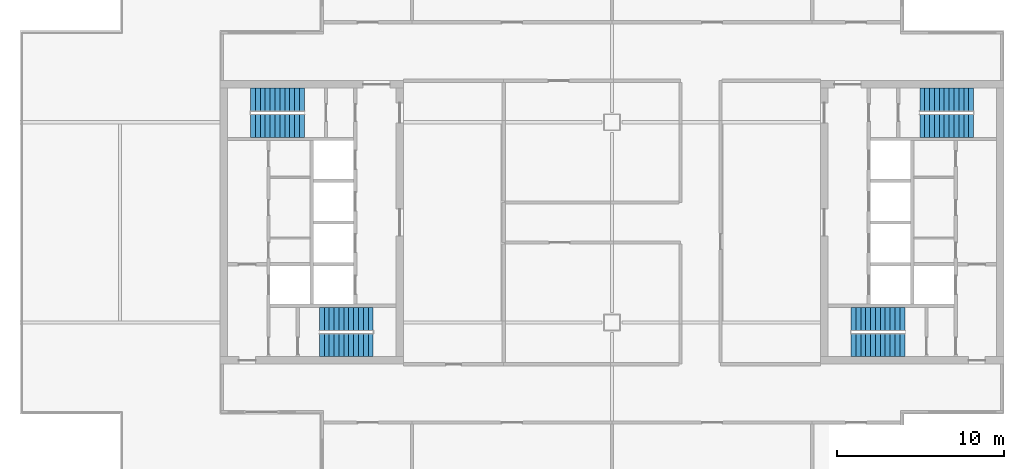
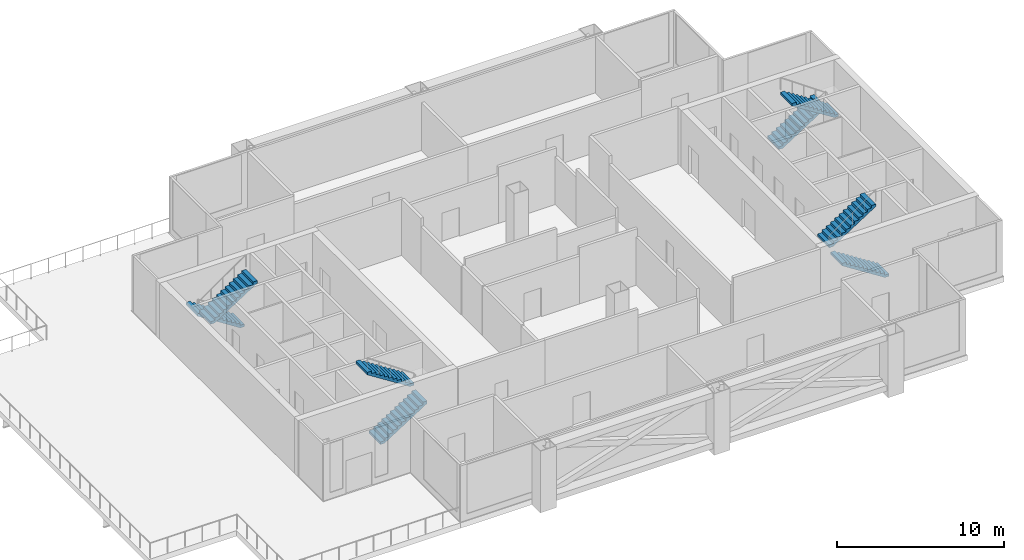
# One storey, part 5 of 6: 8 stair flights, 4 elements without a shape of their own.
"""IFC4 building model written with IfcOpenShell, lengths in metres."""

import ifcopenshell
import ifcopenshell.guid

model = None  # the IFC model being written
_history = None  # IfcOwnerHistory: only IFC2X3 demands one
_inside = {}  # id of a spatial element -> (the spatial element, [elements in it])
_under = {}  # id of a project, library or spatial element -> (it, [spatial elements below it])
_declared = {}  # id of a project -> (the project, [libraries it declares])
_typed = {}  # id of a type object -> (the type object, [elements of that type])
_made_of = {}  # id of a material, layer set ... -> (it, [elements and type objects made of it])


def new_model(schema):
    """Start an empty IFC model of exactly this schema.

    Asked for "IFC4X3", IfcOpenShell would pick the latest addendum, in which some entities
    have other attributes; the version numbers below select the first issue.
    IFC2X3 requires an IfcOwnerHistory on every rooted entity: one is made here for all.
    """
    global model, _history
    if schema == "IFC4X3":
        model = ifcopenshell.file(schema_version=(4, 3, 0, 0))
    else:
        model = ifcopenshell.file(schema=schema)
    _inside.clear()
    _under.clear()
    _declared.clear()
    _typed.clear()
    _made_of.clear()
    _history = None
    if model.schema == "IFC2X3":
        org = make("IfcOrganization", Name="unknown")
        user = make(
            "IfcPersonAndOrganization",
            ThePerson=make("IfcPerson", FamilyName="unknown"),
            TheOrganization=org,
        )
        app = make(
            "IfcApplication",
            ApplicationDeveloper=org,
            Version="unknown",
            ApplicationFullName="unknown",
            ApplicationIdentifier="unknown",
        )
        _history = make(
            "IfcOwnerHistory",
            OwningUser=user,
            OwningApplication=app,
            ChangeAction="ADDED",
            CreationDate=0,
        )
    return model


def make(cls, **values):
    """One entity of the class cls with the attributes given. An attribute that is None is left unset."""
    return model.create_entity(
        cls, **{name: value for name, value in values.items() if value is not None}
    )


def rooted(cls, **values):
    """An entity with a GlobalId (a new one), such as an element, a storey or a relation."""
    return make(cls, GlobalId=ifcopenshell.guid.new(), OwnerHistory=_history, **values)


def si_unit(unit_type, name, prefix=None):
    """IfcSIUnit, for example si_unit("LENGTHUNIT", "METRE", prefix="MILLI")."""
    return make("IfcSIUnit", UnitType=unit_type, Prefix=prefix, Name=name)


def assignment(units):
    """IfcUnitAssignment: the units of a project."""
    return None if units is None else make("IfcUnitAssignment", Units=units)


def point(xyz):
    """IfcCartesianPoint."""
    return None if xyz is None else make("IfcCartesianPoint", Coordinates=xyz)


def direction(xyz):
    """IfcDirection."""
    return None if xyz is None else make("IfcDirection", DirectionRatios=xyz)


def frame(location, z_axis=None, x_axis=None):
    """IfcAxis2Placement3D, a coordinate frame: its origin and axes. An axis left out is left unset."""
    return make(
        "IfcAxis2Placement3D",
        Location=point(location),
        Axis=direction(z_axis),
        RefDirection=direction(x_axis),
    )


def origin():
    """The frame at (0, 0, 0) with its axes left unset."""
    return frame((0.0, 0.0, 0.0))


def place(relative_to, where):
    """IfcLocalPlacement: puts the frame where relative to a parent placement (None: the world)."""
    return make(
        "IfcLocalPlacement", PlacementRelTo=relative_to, RelativePlacement=where
    )


def context(
    kind, dimensions, precision=None, world=None, true_north=None, identifier=None
):
    """IfcGeometricRepresentationContext, for example the 3D "Model" context."""
    return make(
        "IfcGeometricRepresentationContext",
        ContextIdentifier=identifier,
        ContextType=kind,
        CoordinateSpaceDimension=dimensions,
        Precision=precision,
        WorldCoordinateSystem=world,
        TrueNorth=true_north,
    )


def subcontext(parent, identifier, kind, view, scale=None):
    """IfcGeometricRepresentationSubContext, for example "Body" below "Model"."""
    return make(
        "IfcGeometricRepresentationSubContext",
        ContextIdentifier=identifier,
        ContextType=kind,
        ParentContext=parent,
        TargetScale=scale,
        TargetView=view,
    )


def project(units=None, contexts=None):
    """IfcProject with its units and contexts."""
    return rooted(
        "IfcProject",
        Name="project",
        RepresentationContexts=contexts,
        UnitsInContext=assignment(units),
    )


def spatial(cls, under=None, at=None, **own):
    """A site, building, storey or space (cls), placed at a placement, below another one or the project."""
    s = rooted(cls, ObjectPlacement=at, **own)
    if under is not None:
        _under.setdefault(under.id(), (under, []))[1].append(s)
    return s


def polyline(points):
    """IfcPolyline through the points."""
    return make("IfcPolyline", Points=[point(p) for p in points])


def outline(outer, holes=None, kind="AREA"):
    """IfcArbitraryClosedProfileDef: a profile drawn as a closed curve; with holes, ...WithVoids."""
    if holes is None:
        return make("IfcArbitraryClosedProfileDef", ProfileType=kind, OuterCurve=outer)
    return make(
        "IfcArbitraryProfileDefWithVoids",
        ProfileType=kind,
        OuterCurve=outer,
        InnerCurves=holes,
    )


def extrude(swept, where, along, depth):
    """IfcExtrudedAreaSolid: the profile swept, set in the frame where, extruded along a direction by depth."""
    return make(
        "IfcExtrudedAreaSolid",
        SweptArea=swept,
        Position=where,
        ExtrudedDirection=direction(along),
        Depth=depth,
    )


def shape(context_of_items, identifier, shape_type, items):
    """IfcShapeRepresentation: the items that make up one representation, for example the "Body"."""
    return make(
        "IfcShapeRepresentation",
        ContextOfItems=context_of_items,
        RepresentationIdentifier=identifier,
        RepresentationType=shape_type,
        Items=items,
    )


def material(Name=None, Category=None):
    """IfcMaterial."""
    return make("IfcMaterial", Name=Name, Category=Category)


def made_of(thing, what):
    """Note that an element or type object is made of a material, layer set ...; save() writes the relation."""
    if what is not None:
        _made_of.setdefault(what.id(), (what, []))[1].append(thing)
    return thing


def type_object(cls, material=None, **own):
    """A type object (cls), such as IfcWallType, which elements share."""
    return made_of(rooted(cls, **own), material)


def element(
    cls,
    number,
    at=None,
    inside=None,
    cuts=None,
    type_object=None,
    material=None,
    context=None,
    identifier="Body",
    shape_type=None,
    held_by="IfcProductDefinitionShape",
    body=None,
    shapes=None,
    **own,
):
    """One element of the class cls, such as IfcWall. Its Tag is "e" and its number.

    at: its placement. inside: the storey or other place that contains it. cuts: it is an
    opening in that element (IfcRelVoidsElement). A single representation is given by context,
    identifier, shape_type and body (its items); several are given by shapes. held_by: the class
    of the entity that holds the representations. save() writes the other relations.
    """
    e = rooted(cls, Tag="e%d" % number, ObjectPlacement=at, **own)
    if body is not None:
        shapes = [shape(context, identifier, shape_type, body)]
    if shapes is not None:
        e.Representation = make(held_by, Representations=shapes)
    if inside is not None:
        _inside.setdefault(inside.id(), (inside, []))[1].append(e)
    if cuts is not None:
        rooted(
            "IfcRelVoidsElement", RelatingBuildingElement=cuts, RelatedOpeningElement=e
        )
    if type_object is not None:
        _typed.setdefault(type_object.id(), (type_object, []))[1].append(e)
    return made_of(e, material)


def aggregate(whole, parts):
    """IfcRelAggregates: a whole, such as a stair, and the parts it consists of."""
    return rooted("IfcRelAggregates", RelatingObject=whole, RelatedObjects=parts)


def save(model, path):
    """Write the relations noted so far, then the file.

    IfcRelAggregates (storeys below a building ...), IfcRelContainedInSpatialStructure (elements
    in a storey), IfcRelDefinesByType, IfcRelAssociatesMaterial and IfcRelDeclares: one each for
    every whole, place, type object, material and project.
    """
    for whole, parts in _under.values():
        aggregate(whole, parts)
    for where, things in _inside.values():
        rooted(
            "IfcRelContainedInSpatialStructure",
            RelatedElements=things,
            RelatingStructure=where,
        )
    for kind, things in _typed.values():
        rooted("IfcRelDefinesByType", RelatedObjects=things, RelatingType=kind)
    for what, things in _made_of.values():
        rooted("IfcRelAssociatesMaterial", RelatedObjects=things, RelatingMaterial=what)
    for by, libraries in _declared.values():
        rooted("IfcRelDeclares", RelatingContext=by, RelatedDefinitions=libraries)
    model.write(path)


model = new_model("IFC4")

# Units and contexts
model_context = context("Model", 3, precision=1e-05, world=origin(), true_north=direction((0.0, 1.0)))
body_context = subcontext(model_context, "Body", "Model", "MODEL_VIEW")
ifc_project = project(units=[si_unit("LENGTHUNIT", "METRE"), si_unit("AREAUNIT", "SQUARE_METRE"), si_unit("VOLUMEUNIT", "CUBIC_METRE"), si_unit("PLANEANGLEUNIT", "RADIAN"), si_unit("MASSUNIT", "GRAM", prefix="KILO")], contexts=[model_context])

# Site, building, storey
site_placement = place(None, origin())
site = spatial("IfcSite", under=ifc_project, at=site_placement, CompositionType="ELEMENT")
building_placement = place(site_placement, origin())
building = spatial("IfcBuilding", under=site, at=building_placement, Name="Kitamizu Gate Tower and Museum", CompositionType="ELEMENT")
storey_placement = place(building_placement, frame((0.0, 0.0, 213.449951171875)))
storey = spatial("IfcBuildingStorey", under=building, at=storey_placement, Name="L57", CompositionType="ELEMENT", Elevation=213.449951171875)

# Stair, stair flights
ifc_material_1 = material(Name="Concrete Fc42", Category="concrete")
stair_type = type_object("IfcStairType", Name="Exit stair 1375 wide 188 rise 293 going", PredefinedType="HALF_TURN_STAIR", material=ifc_material_1)
stair_1_placement = place(storey_placement, origin())
stair_1 = element("IfcStair", 1, at=stair_1_placement, inside=storey, type_object=stair_type, Name="Exit stair ST1", PredefinedType="HALF_TURN_STAIR")
ifc_material_2 = material(Name="Concrete Fc42", Category="concrete")
stair_flight_type = type_object("IfcStairFlightType", Name="Stair flight 1375 wide 188 rise 293 going", PredefinedType="STRAIGHT", material=ifc_material_2)
stair_flight_1_placement = place(storey_placement, frame((18.449951171875, 22.637451171875, 0.0), z_axis=(0.0, 0.0, 1.0), x_axis=(1.0, 0.0, 0.0)))
stair_flight_1 = element("IfcStairFlight", 2, at=stair_flight_1_placement, type_object=stair_flight_type, Name="ST1 flight 1", NumberOfRisers=12, NumberOfTreads=11, PredefinedType="STRAIGHT", RiserHeight=0.1875, TreadLength=0.293181818, context=body_context, shape_type="SweptSolid", body=[
    extrude(outline(polyline([(0.0, 0.0), (0.0, 0.1875), (0.293212890625, 0.1875), (0.293212890625, 0.375), (0.58642578125, 0.375), (0.58642578125, 0.5625), (0.879638671875, 0.5625), (0.879638671875, 0.75), (1.172607421875, 0.75), (1.172607421875, 0.9375), (1.4658203125, 0.9375), (1.4658203125, 1.125), (1.759033203125, 1.125), (1.759033203125, 1.3125), (2.05224609375, 1.3125), (2.05224609375, 1.5), (2.345458984375, 1.5), (2.345458984375, 1.6875), (2.638671875, 1.6875), (2.638671875, 1.875), (2.931884765625, 1.875), (2.931884765625, 2.0625), (3.22509765625, 2.0625), (3.22509765625, 2.25), (3.22509765625, 1.884521484375), (0.2783203125, 0.0), (0.0, 0.0)])), frame((0.0, 0.6875, 0.0), z_axis=(0.0, -1.0, 0.0), x_axis=(1.0, 0.0, 0.0)), (0.0, 0.0, 1.0), 1.375),
])
stair_flight_2_placement = place(storey_placement, frame((21.675048828125, 24.21240234375, 2.25), z_axis=(0.0, 0.0, 1.0), x_axis=(-1.0, 0.0, 0.0)))
stair_flight_2 = element("IfcStairFlight", 3, at=stair_flight_2_placement, type_object=stair_flight_type, Name="ST1 flight 2", NumberOfRisers=12, NumberOfTreads=11, PredefinedType="STRAIGHT", RiserHeight=0.1875, TreadLength=0.293181818, context=body_context, shape_type="SweptSolid", body=[
    extrude(outline(polyline([(0.0, 0.0), (0.0, 0.1875), (0.293212890625, 0.1875), (0.293212890625, 0.375), (0.58642578125, 0.375), (0.58642578125, 0.5625), (0.879638671875, 0.5625), (0.879638671875, 0.75), (1.172607421875, 0.75), (1.172607421875, 0.9375), (1.4658203125, 0.9375), (1.4658203125, 1.125), (1.759033203125, 1.125), (1.759033203125, 1.3125), (2.05224609375, 1.3125), (2.05224609375, 1.5), (2.345458984375, 1.5), (2.345458984375, 1.6875), (2.638671875, 1.6875), (2.638671875, 1.875), (2.931884765625, 1.875), (2.931884765625, 2.0625), (3.22509765625, 2.0625), (3.22509765625, 2.25), (3.22509765625, 1.884521484375), (0.2783203125, 0.0), (0.0, 0.0)])), frame((0.0, 0.6875, 0.0), z_axis=(0.0, -1.0, 0.0), x_axis=(1.0, 0.0, 0.0)), (0.0, 0.0, 1.0), 1.375),
])
aggregate(stair_1, [stair_flight_1, stair_flight_2])

stair_2_placement = place(storey_placement, origin())
stair_2 = element("IfcStair", 4, at=stair_2_placement, inside=storey, type_object=stair_type, Name="Exit stair ST2", PredefinedType="HALF_TURN_STAIR")
stair_flight_3_placement = place(storey_placement, frame((17.550048828125, 37.362548828125, 0.0), z_axis=(0.0, 0.0, 1.0), x_axis=(-1.0, 0.0, 0.0)))
stair_flight_3 = element("IfcStairFlight", 5, at=stair_flight_3_placement, type_object=stair_flight_type, Name="ST2 flight 1", NumberOfRisers=12, NumberOfTreads=11, PredefinedType="STRAIGHT", RiserHeight=0.1875, TreadLength=0.293181818, context=body_context, shape_type="SweptSolid", body=[
    extrude(outline(polyline([(0.0, 0.0), (0.0, 0.1875), (0.293212890625, 0.1875), (0.293212890625, 0.375), (0.58642578125, 0.375), (0.58642578125, 0.5625), (0.879638671875, 0.5625), (0.879638671875, 0.75), (1.172607421875, 0.75), (1.172607421875, 0.9375), (1.4658203125, 0.9375), (1.4658203125, 1.125), (1.759033203125, 1.125), (1.759033203125, 1.3125), (2.05224609375, 1.3125), (2.05224609375, 1.5), (2.345458984375, 1.5), (2.345458984375, 1.6875), (2.638671875, 1.6875), (2.638671875, 1.875), (2.931884765625, 1.875), (2.931884765625, 2.0625), (3.22509765625, 2.0625), (3.22509765625, 2.25), (3.22509765625, 1.884521484375), (0.2783203125, 0.0), (0.0, 0.0)])), frame((0.0, 0.6875, 0.0), z_axis=(0.0, -1.0, 0.0), x_axis=(1.0, 0.0, 0.0)), (0.0, 0.0, 1.0), 1.375),
])
stair_flight_4_placement = place(storey_placement, frame((14.324951171875, 35.78759765625, 2.25), z_axis=(0.0, 0.0, 1.0), x_axis=(1.0, 0.0, 0.0)))
stair_flight_4 = element("IfcStairFlight", 6, at=stair_flight_4_placement, type_object=stair_flight_type, Name="ST2 flight 2", NumberOfRisers=12, NumberOfTreads=11, PredefinedType="STRAIGHT", RiserHeight=0.1875, TreadLength=0.293181818, context=body_context, shape_type="SweptSolid", body=[
    extrude(outline(polyline([(0.0, 0.0), (0.0, 0.1875), (0.293212890625, 0.1875), (0.293212890625, 0.375), (0.58642578125, 0.375), (0.58642578125, 0.5625), (0.879638671875, 0.5625), (0.879638671875, 0.75), (1.172607421875, 0.75), (1.172607421875, 0.9375), (1.4658203125, 0.9375), (1.4658203125, 1.125), (1.759033203125, 1.125), (1.759033203125, 1.3125), (2.05224609375, 1.3125), (2.05224609375, 1.5), (2.345458984375, 1.5), (2.345458984375, 1.6875), (2.638671875, 1.6875), (2.638671875, 1.875), (2.931884765625, 1.875), (2.931884765625, 2.0625), (3.22509765625, 2.0625), (3.22509765625, 2.25), (3.22509765625, 1.884521484375), (0.2783203125, 0.0), (0.0, 0.0)])), frame((0.0, 0.6875, 0.0), z_axis=(0.0, -1.0, 0.0), x_axis=(1.0, 0.0, 0.0)), (0.0, 0.0, 1.0), 1.375),
])
aggregate(stair_2, [stair_flight_3, stair_flight_4])

stair_3_placement = place(storey_placement, origin())
stair_3 = element("IfcStair", 7, at=stair_3_placement, inside=storey, type_object=stair_type, Name="Exit stair ST3", PredefinedType="HALF_TURN_STAIR")
stair_flight_5_placement = place(storey_placement, frame((53.550048828125, 22.637451171875, 0.0), z_axis=(0.0, 0.0, 1.0), x_axis=(-1.0, 0.0, 0.0)))
stair_flight_5 = element("IfcStairFlight", 8, at=stair_flight_5_placement, type_object=stair_flight_type, Name="ST3 flight 1", NumberOfRisers=12, NumberOfTreads=11, PredefinedType="STRAIGHT", RiserHeight=0.1875, TreadLength=0.293181818, context=body_context, shape_type="SweptSolid", body=[
    extrude(outline(polyline([(0.0, 0.0), (0.0, 0.1875), (0.293212890625, 0.1875), (0.293212890625, 0.375), (0.58642578125, 0.375), (0.58642578125, 0.5625), (0.879638671875, 0.5625), (0.879638671875, 0.75), (1.172607421875, 0.75), (1.172607421875, 0.9375), (1.4658203125, 0.9375), (1.4658203125, 1.125), (1.759033203125, 1.125), (1.759033203125, 1.3125), (2.05224609375, 1.3125), (2.05224609375, 1.5), (2.345458984375, 1.5), (2.345458984375, 1.6875), (2.638671875, 1.6875), (2.638671875, 1.875), (2.931884765625, 1.875), (2.931884765625, 2.0625), (3.22509765625, 2.0625), (3.22509765625, 2.25), (3.22509765625, 1.884521484375), (0.2783203125, 0.0), (0.0, 0.0)])), frame((0.0, 0.6875, 0.0), z_axis=(0.0, -1.0, 0.0), x_axis=(1.0, 0.0, 0.0)), (0.0, 0.0, 1.0), 1.375),
])
stair_flight_6_placement = place(storey_placement, frame((50.324951171875, 24.21240234375, 2.25), z_axis=(0.0, 0.0, 1.0), x_axis=(1.0, 0.0, 0.0)))
stair_flight_6 = element("IfcStairFlight", 9, at=stair_flight_6_placement, type_object=stair_flight_type, Name="ST3 flight 2", NumberOfRisers=12, NumberOfTreads=11, PredefinedType="STRAIGHT", RiserHeight=0.1875, TreadLength=0.293181818, context=body_context, shape_type="SweptSolid", body=[
    extrude(outline(polyline([(0.0, 0.0), (0.0, 0.1875), (0.293212890625, 0.1875), (0.293212890625, 0.375), (0.58642578125, 0.375), (0.58642578125, 0.5625), (0.879638671875, 0.5625), (0.879638671875, 0.75), (1.172607421875, 0.75), (1.172607421875, 0.9375), (1.4658203125, 0.9375), (1.4658203125, 1.125), (1.759033203125, 1.125), (1.759033203125, 1.3125), (2.05224609375, 1.3125), (2.05224609375, 1.5), (2.345458984375, 1.5), (2.345458984375, 1.6875), (2.638671875, 1.6875), (2.638671875, 1.875), (2.931884765625, 1.875), (2.931884765625, 2.0625), (3.22509765625, 2.0625), (3.22509765625, 2.25), (3.22509765625, 1.884521484375), (0.2783203125, 0.0), (0.0, 0.0)])), frame((0.0, 0.6875, 0.0), z_axis=(0.0, -1.0, 0.0), x_axis=(1.0, 0.0, 0.0)), (0.0, 0.0, 1.0), 1.375),
])
aggregate(stair_3, [stair_flight_5, stair_flight_6])

stair_4_placement = place(storey_placement, origin())
stair_4 = element("IfcStair", 10, at=stair_4_placement, inside=storey, type_object=stair_type, Name="Exit stair ST4", PredefinedType="HALF_TURN_STAIR")
stair_flight_7_placement = place(storey_placement, frame((54.449951171875, 37.362548828125, 0.0), z_axis=(0.0, 0.0, 1.0), x_axis=(1.0, 0.0, 0.0)))
stair_flight_7 = element("IfcStairFlight", 11, at=stair_flight_7_placement, type_object=stair_flight_type, Name="ST4 flight 1", NumberOfRisers=12, NumberOfTreads=11, PredefinedType="STRAIGHT", RiserHeight=0.1875, TreadLength=0.293181818, context=body_context, shape_type="SweptSolid", body=[
    extrude(outline(polyline([(0.0, 0.0), (0.0, 0.1875), (0.293212890625, 0.1875), (0.293212890625, 0.375), (0.58642578125, 0.375), (0.58642578125, 0.5625), (0.879638671875, 0.5625), (0.879638671875, 0.75), (1.172607421875, 0.75), (1.172607421875, 0.9375), (1.4658203125, 0.9375), (1.4658203125, 1.125), (1.759033203125, 1.125), (1.759033203125, 1.3125), (2.05224609375, 1.3125), (2.05224609375, 1.5), (2.345458984375, 1.5), (2.345458984375, 1.6875), (2.638671875, 1.6875), (2.638671875, 1.875), (2.931884765625, 1.875), (2.931884765625, 2.0625), (3.22509765625, 2.0625), (3.22509765625, 2.25), (3.22509765625, 1.884521484375), (0.2783203125, 0.0), (0.0, 0.0)])), frame((0.0, 0.6875, 0.0), z_axis=(0.0, -1.0, 0.0), x_axis=(1.0, 0.0, 0.0)), (0.0, 0.0, 1.0), 1.375),
])
stair_flight_8_placement = place(storey_placement, frame((57.675048828125, 35.78759765625, 2.25), z_axis=(0.0, 0.0, 1.0), x_axis=(-1.0, 0.0, 0.0)))
stair_flight_8 = element("IfcStairFlight", 12, at=stair_flight_8_placement, type_object=stair_flight_type, Name="ST4 flight 2", NumberOfRisers=12, NumberOfTreads=11, PredefinedType="STRAIGHT", RiserHeight=0.1875, TreadLength=0.293181818, context=body_context, shape_type="SweptSolid", body=[
    extrude(outline(polyline([(0.0, 0.0), (0.0, 0.1875), (0.293212890625, 0.1875), (0.293212890625, 0.375), (0.58642578125, 0.375), (0.58642578125, 0.5625), (0.879638671875, 0.5625), (0.879638671875, 0.75), (1.172607421875, 0.75), (1.172607421875, 0.9375), (1.4658203125, 0.9375), (1.4658203125, 1.125), (1.759033203125, 1.125), (1.759033203125, 1.3125), (2.05224609375, 1.3125), (2.05224609375, 1.5), (2.345458984375, 1.5), (2.345458984375, 1.6875), (2.638671875, 1.6875), (2.638671875, 1.875), (2.931884765625, 1.875), (2.931884765625, 2.0625), (3.22509765625, 2.0625), (3.22509765625, 2.25), (3.22509765625, 1.884521484375), (0.2783203125, 0.0), (0.0, 0.0)])), frame((0.0, 0.6875, 0.0), z_axis=(0.0, -1.0, 0.0), x_axis=(1.0, 0.0, 0.0)), (0.0, 0.0, 1.0), 1.375),
])
aggregate(stair_4, [stair_flight_7, stair_flight_8])

save(model, "model.ifc")
